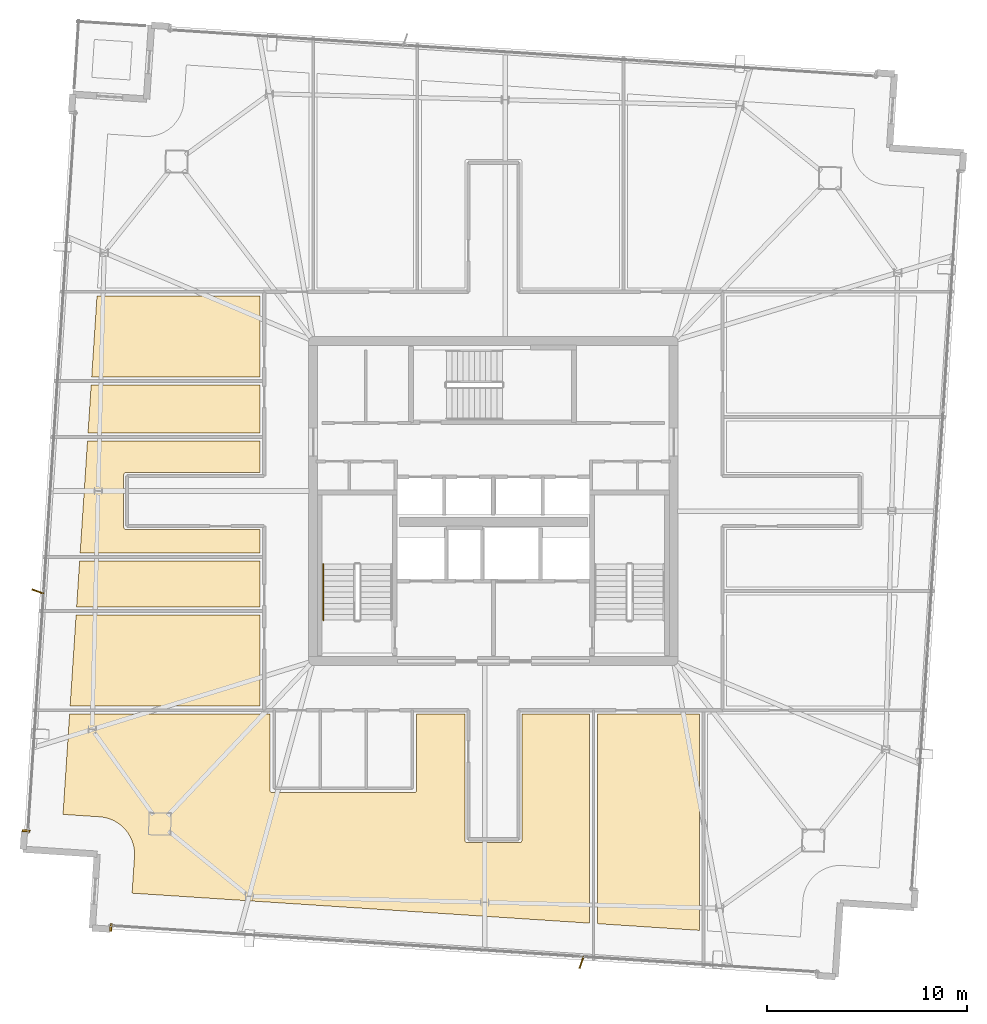
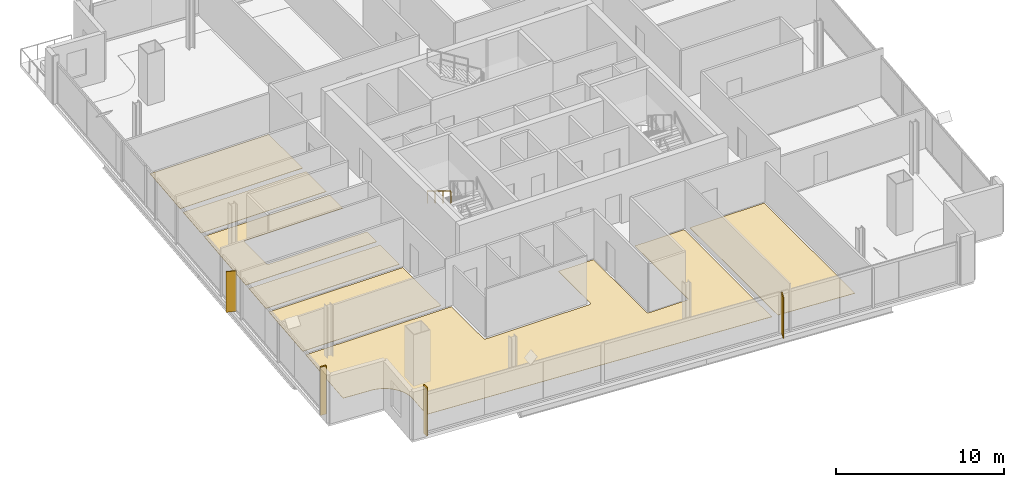
# One storey, part 22 of 24: 9 coverings, 2 shading devices, 1 railing.
"""IFC4 building model written with IfcOpenShell, lengths in metres."""

from ifc_helpers import new_model, si_unit, direction, frame, origin, origin_2d, place, context, subcontext, project, spatial, polyline, rectangle, outline, extrude, source, transform, mapped, material, layer, layer_set, type_object, element, save


model = new_model("IFC4")

# Units and contexts
model_context = context("Model", 3, precision=1e-05, world=origin(), true_north=direction((0.0, 1.0)))
body_context = subcontext(model_context, "Body", "Model", "MODEL_VIEW")
ifc_project = project(units=[si_unit("LENGTHUNIT", "METRE"), si_unit("AREAUNIT", "SQUARE_METRE"), si_unit("VOLUMEUNIT", "CUBIC_METRE"), si_unit("PLANEANGLEUNIT", "RADIAN"), si_unit("MASSUNIT", "GRAM", prefix="KILO")], contexts=[model_context])

# Site, building, storey
site_placement = place(None, origin())
site = spatial("IfcSite", under=ifc_project, at=site_placement, CompositionType="ELEMENT")
building_placement = place(site_placement, origin())
building = spatial("IfcBuilding", under=site, at=building_placement, Name="Haldenkirk Collegiate Tower", CompositionType="ELEMENT")
storey_placement = place(building_placement, frame((0.0, 0.0, 317.699951171875)))
storey = spatial("IfcBuildingStorey", under=building, at=storey_placement, Name="L80", CompositionType="ELEMENT", Elevation=317.699951171875)

# Coverings
ifc_material_1 = material(Name="Polished collegiate terrazzo", Category="concrete")
ifc_layer_1 = layer(ifc_material_1, 0.02490234375)
ifc_layer_set_1 = layer_set([ifc_layer_1], Name="Polished collegiate terrazzo")
covering_type_1 = type_object("IfcCoveringType", Name="COV-FLOOR-TERRAZZO", PredefinedType="FLOORING", material=ifc_layer_set_1)
covering_1_placement = place(storey_placement, origin())
element("IfcCovering", 1, at=covering_1_placement, inside=storey, type_object=covering_type_1, Name="L80 academic room finish 02", PredefinedType="FLOORING", context=body_context, shape_type="SweptSolid", body=[
    extrude(outline(polyline([(41.199951171875, 4.884765625), (41.199951171875, 15.35009765625), (46.300048828125, 15.35009765625), (46.300048828125, 4.55029296875), (41.199951171875, 4.884765625)])), origin(), (0.0, 0.0, 1.0), 0.025146484375),
])
covering_2_placement = place(storey_placement, origin())
element("IfcCovering", 2, at=covering_2_placement, inside=storey, type_object=covering_type_1, Name="L80 academic room finish 08", PredefinedType="FLOORING", context=body_context, shape_type="SweptSolid", body=[
    extrude(outline(polyline([(15.152587890625, 20.300048828125), (24.35009765625, 20.300048828125), (24.35009765625, 15.75), (14.854248046875, 15.75), (15.152587890625, 20.300048828125)])), origin(), (0.0, 0.0, 1.0), 0.025146484375),
])
covering_3_placement = place(storey_placement, origin())
element("IfcCovering", 3, at=covering_3_placement, inside=storey, type_object=covering_type_1, Name="L80 academic room finish 10", PredefinedType="FLOORING", context=body_context, shape_type="SweptSolid", body=[
    extrude(outline(polyline([(17.64990234375, 27.419921875), (17.63818359375, 27.41943359375), (17.626708984375, 27.417724609375), (17.615234375, 27.414794921875), (17.60400390625, 27.410888671875), (17.593505859375, 27.40576171875), (17.583251953125, 27.39990234375), (17.573974609375, 27.392822265625), (17.565185546875, 27.385009765625), (17.55712890625, 27.376220703125), (17.55029296875, 27.36669921875), (17.544189453125, 27.356689453125), (17.5390625, 27.345947265625), (17.53515625, 27.334716796875), (17.5322265625, 27.323486328125), (17.530517578125, 27.311767578125), (17.530029296875, 27.300048828125), (17.530029296875, 24.699951171875), (17.530517578125, 24.688232421875), (17.5322265625, 24.676513671875), (17.53515625, 24.665283203125), (17.5390625, 24.654052734375), (17.544189453125, 24.643310546875), (17.55029296875, 24.63330078125), (17.55712890625, 24.623779296875), (17.565185546875, 24.614990234375), (17.573974609375, 24.607177734375), (17.583251953125, 24.60009765625), (17.593505859375, 24.59423828125), (17.60400390625, 24.589111328125), (17.615234375, 24.585205078125), (17.626708984375, 24.582275390625), (17.63818359375, 24.58056640625), (17.64990234375, 24.580078125), (24.35009765625, 24.580078125), (24.35009765625, 23.39990234375), (15.355712890625, 23.39990234375), (15.722900390625, 29.0), (24.35009765625, 29.0), (24.35009765625, 27.419921875), (17.64990234375, 27.419921875)])), origin(), (0.0, 0.0, 1.0), 0.025146484375),
])
covering_4_placement = place(storey_placement, origin())
element("IfcCovering", 4, at=covering_4_placement, inside=storey, type_object=covering_type_1, Name="L80 academic room finish 12", PredefinedType="FLOORING", context=body_context, shape_type="SweptSolid", body=[
    extrude(outline(polyline([(16.197998046875, 36.25), (24.35009765625, 36.25), (24.35009765625, 32.199951171875), (15.9326171875, 32.199951171875), (16.197998046875, 36.25)])), origin(), (0.0, 0.0, 1.0), 0.025146484375),
])
ifc_material_2 = material(Name="Engineered collegiate oak acoustic flooring", Category="wood")
ifc_layer_2 = layer(ifc_material_2, 0.02197265625)
ifc_layer_set_2 = layer_set([ifc_layer_2], Name="Engineered collegiate oak acoustic flooring")
covering_type_2 = type_object("IfcCoveringType", Name="COV-FLOOR-TIMBER", PredefinedType="FLOORING", material=ifc_layer_set_2)
covering_5_placement = place(storey_placement, origin())
element("IfcCovering", 5, at=covering_5_placement, inside=storey, type_object=covering_type_2, Name="L80 academic room finish 01", PredefinedType="FLOORING", context=body_context, shape_type="SweptSolid", body=[
    extrude(outline(polyline([(17.949951171875, 6.40869140625), (18.069580078125, 8.234619140625), (18.070068359375, 8.240478515625), (18.07275390625, 8.412353515625), (18.072509765625, 8.42431640625), (18.058349609375, 8.59521484375), (18.056884765625, 8.606689453125), (18.026123046875, 8.77587890625), (18.0234375, 8.787353515625), (17.976318359375, 8.952392578125), (17.972412109375, 8.963623046875), (17.9091796875, 9.123291015625), (17.904296875, 9.134033203125), (17.825927734375, 9.286865234375), (17.820068359375, 9.297119140625), (17.72705078125, 9.44140625), (17.72021484375, 9.450927734375), (17.61328125, 9.58544921875), (17.605712890625, 9.59423828125), (17.486083984375, 9.7177734375), (17.4775390625, 9.725830078125), (17.3466796875, 9.8369140625), (17.33740234375, 9.843994140625), (17.196044921875, 9.94189453125), (17.18603515625, 9.947998046875), (17.035888671875, 10.031494140625), (17.025390625, 10.03662109375), (16.867919921875, 10.10498046875), (16.85693359375, 10.10888671875), (16.693359375, 10.16162109375), (16.681884765625, 10.164794921875), (16.51416015625, 10.200927734375), (16.502685546875, 10.202880859375), (16.33203125, 10.222412109375), (16.325927734375, 10.222900390625), (14.5, 10.3427734375), (14.828125, 15.35009765625), (24.830078125, 15.35009765625), (24.830078125, 11.550048828125), (24.83056640625, 11.5380859375), (24.832275390625, 11.526611328125), (24.835205078125, 11.51513671875), (24.839111328125, 11.504150390625), (24.84423828125, 11.493408203125), (24.85009765625, 11.4833984375), (24.857177734375, 11.473876953125), (24.864990234375, 11.465087890625), (24.873779296875, 11.457275390625), (24.88330078125, 11.4501953125), (24.893310546875, 11.444091796875), (24.904052734375, 11.439208984375), (24.915283203125, 11.435302734375), (24.926513671875, 11.432373046875), (24.938232421875, 11.4306640625), (24.949951171875, 11.429931640625), (32.050048828125, 11.429931640625), (32.061767578125, 11.4306640625), (32.073486328125, 11.432373046875), (32.084716796875, 11.435302734375), (32.095947265625, 11.439208984375), (32.106689453125, 11.444091796875), (32.11669921875, 11.4501953125), (32.126220703125, 11.457275390625), (32.135009765625, 11.465087890625), (32.142822265625, 11.473876953125), (32.14990234375, 11.4833984375), (32.15576171875, 11.493408203125), (32.160888671875, 11.504150390625), (32.164794921875, 11.51513671875), (32.167724609375, 11.526611328125), (32.16943359375, 11.5380859375), (32.169921875, 11.550048828125), (32.169921875, 15.35009765625), (34.580078125, 15.35009765625), (34.580078125, 9.050048828125), (34.58056640625, 9.0380859375), (34.582275390625, 9.026611328125), (34.585205078125, 9.01513671875), (34.589111328125, 9.004150390625), (34.59423828125, 8.993408203125), (34.60009765625, 8.9833984375), (34.607177734375, 8.973876953125), (34.614990234375, 8.965087890625), (34.623779296875, 8.957275390625), (34.63330078125, 8.9501953125), (34.643310546875, 8.944091796875), (34.654052734375, 8.939208984375), (34.665283203125, 8.935302734375), (34.676513671875, 8.932373046875), (34.688232421875, 8.9306640625), (34.699951171875, 8.929931640625), (37.300048828125, 8.929931640625), (37.311767578125, 8.9306640625), (37.323486328125, 8.932373046875), (37.334716796875, 8.935302734375), (37.345947265625, 8.939208984375), (37.356689453125, 8.944091796875), (37.36669921875, 8.9501953125), (37.376220703125, 8.957275390625), (37.385009765625, 8.965087890625), (37.392822265625, 8.973876953125), (37.39990234375, 8.9833984375), (37.40576171875, 8.993408203125), (37.410888671875, 9.004150390625), (37.414794921875, 9.01513671875), (37.417724609375, 9.026611328125), (37.41943359375, 9.0380859375), (37.419921875, 9.050048828125), (37.419921875, 15.35009765625), (40.800048828125, 15.35009765625), (40.800048828125, 4.910888671875), (17.949951171875, 6.40869140625)])), origin(), (0.0, 0.0, 1.0), 0.02197265625),
])
covering_6_placement = place(storey_placement, origin())
element("IfcCovering", 6, at=covering_6_placement, inside=storey, type_object=covering_type_2, Name="L80 academic room finish 09", PredefinedType="FLOORING", context=body_context, shape_type="SweptSolid", body=[
    extrude(outline(polyline([(15.32958984375, 23.0), (24.35009765625, 23.0), (24.35009765625, 20.699951171875), (15.1787109375, 20.699951171875), (15.32958984375, 23.0)])), origin(), (0.0, 0.0, 1.0), 0.02197265625),
])
covering_7_placement = place(storey_placement, origin())
element("IfcCovering", 7, at=covering_7_placement, inside=storey, type_object=covering_type_2, Name="L80 academic room finish 11", PredefinedType="FLOORING", context=body_context, shape_type="SweptSolid", body=[
    extrude(outline(polyline([(15.90625, 31.800048828125), (24.35009765625, 31.800048828125), (24.35009765625, 29.39990234375), (15.7490234375, 29.39990234375), (15.90625, 31.800048828125)])), origin(), (0.0, 0.0, 1.0), 0.02197265625),
])

# Railing
ifc_material_3 = material(Name="Painted architectural tubular steel", Category="steel")
railing_type = type_object("IfcRailingType", Name="RLG-STAIR-HANDRAIL-900", PredefinedType="HANDRAIL", material=ifc_material_3)
railing_placement = place(storey_placement, frame((27.5, 22.85009765625, 2.04541015625)))
element("IfcRailing", 8, at=railing_placement, inside=storey, type_object=railing_type, Name="L80 ST-1 stair handrail 2", PredefinedType="HANDRAIL", context=body_context, shape_type="SweptSolid", body=[
    extrude(rectangle(XDim=0.048095703125, YDim=0.048095703125, at=origin_2d()), frame((0.0, 0.0, 0.8759765625), z_axis=(0.0, -0.854169791009, 0.51999420009), x_axis=(1.0, 0.0, 0.0)), (0.0, 0.0, 1.0), 3.278076171875),
    extrude(rectangle(XDim=0.0419921875, YDim=0.0419921875, at=origin_2d()), origin(), (0.0, 0.0, 1.0), 0.851806640625),
    extrude(rectangle(XDim=0.0419921875, YDim=0.0419921875, at=origin_2d()), frame((0.0, -0.933349609375, 0.568115234375)), (0.0, 0.0, 1.0), 0.851806640625),
    extrude(rectangle(XDim=0.0419921875, YDim=0.0419921875, at=origin_2d()), frame((0.0, -1.86669921875, 1.136474609375)), (0.0, 0.0, 1.0), 0.851806640625),
    extrude(rectangle(XDim=0.0419921875, YDim=0.0419921875, at=origin_2d()), frame((0.0, -2.800048828125, 1.70458984375)), (0.0, 0.0, 1.0), 0.851806640625),
])

# Coverings
ifc_material_4 = material(Name="Anodised architectural bronze aluminium", Category="aluminium")
ifc_layer_3 = layer(ifc_material_4, 0.06005859375)
ifc_layer_set_3 = layer_set([ifc_layer_3], Name="Anodised architectural bronze aluminium")
covering_type_3 = type_object("IfcCoveringType", Name="COV-CLAD-BRONZE-60", PredefinedType="CLADDING", material=ifc_layer_set_3)
shared_shape_1 = source(origin(), body_context, "Body", "SweptSolid", [
    extrude(rectangle(XDim=0.10009765625, YDim=0.3798828125, at=origin_2d()), origin(), (0.0, 0.0, 1.0), 3.489990234375),
])
for number, where, z_axis, x_axis, name in (
    (9, (12.662353515625, 9.52099609375, 0.0), (0.0, 0.0, 1.0), (0.06540312923, 0.997858923239, 0.0), "L80 recessed curtain-wall bronze jamb closure NJL"),
    (10, (16.8955078125, 4.69384765625, 0.0), (0.0, 0.0, 1.0), (-0.997858923239, 0.06540312923, 0.0), "L80 recessed curtain-wall bronze jamb closure WJR"),
):
    element("IfcCovering", number, at=place(storey_placement, frame(where, z_axis=z_axis, x_axis=x_axis)), inside=storey, type_object=covering_type_3, Name=name, PredefinedType="CLADDING", context=body_context, shape_type="MappedRepresentation", body=[
        mapped(shared_shape_1, transform((0.0, 0.0, 0.0), x_axis=(1.0, 0.0, 0.0), y_axis=(0.0, 1.0, 0.0), z_axis=(0.0, 0.0, 1.0), scale=1.0)),
    ])

# Shading devices
ifc_layer_4 = layer(ifc_material_4, 0.06494140625)
ifc_layer_set_4 = layer_set([ifc_layer_4], Name="Anodised architectural bronze aluminium")
shading_device_type = type_object("IfcShadingDeviceType", Name="SHD-FIN-BRONZE-620", PredefinedType="USERDEFINED", material=ifc_layer_set_4)
shared_shape_2 = source(origin(), body_context, "Body", "SweptSolid", [
    extrude(rectangle(XDim=0.6201171875, YDim=0.06494140625, at=origin_2d()), origin(), (0.0, 0.0, 1.0), 2.947998046875),
])
for number, where, z_axis, x_axis, name in (
    (11, (13.240478515625, 21.47900390625, 0.0), (0.0, 0.0, 1.0), (-0.941176015256, 0.337916718003, 0.0), "L80 folded bronze solar fin 1"),
    (12, (40.40185546875, 2.94775390625, 0.0), (0.0, 0.0, 1.0), (-0.337916718003, -0.941176015256, 0.0), "L80 folded bronze solar fin 1"),
):
    element("IfcShadingDevice", number, at=place(storey_placement, frame(where, z_axis=z_axis, x_axis=x_axis)), inside=storey, type_object=shading_device_type, Name=name, ObjectType="FIN", PredefinedType="USERDEFINED", context=body_context, shape_type="MappedRepresentation", body=[
        mapped(shared_shape_2, transform((0.0, 0.0, 0.0), x_axis=(1.0, 0.0, 0.0), y_axis=(0.0, 1.0, 0.0), z_axis=(0.0, 0.0, 1.0), scale=1.0)),
    ])

save(model, "model.ifc")
